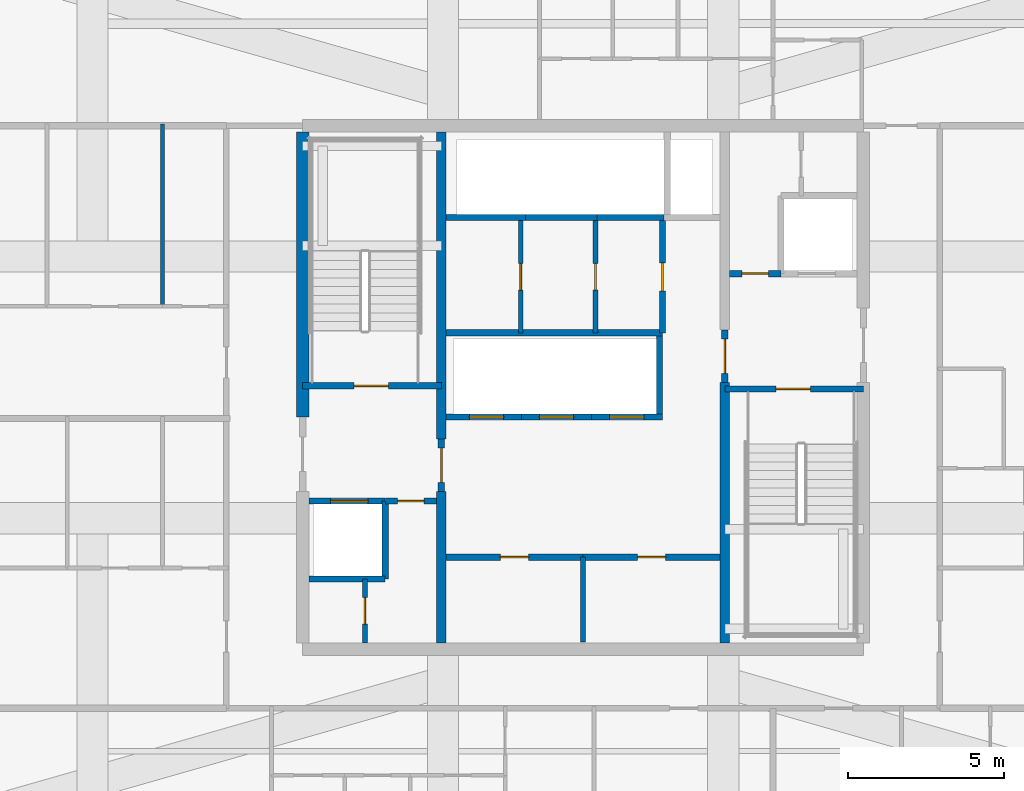
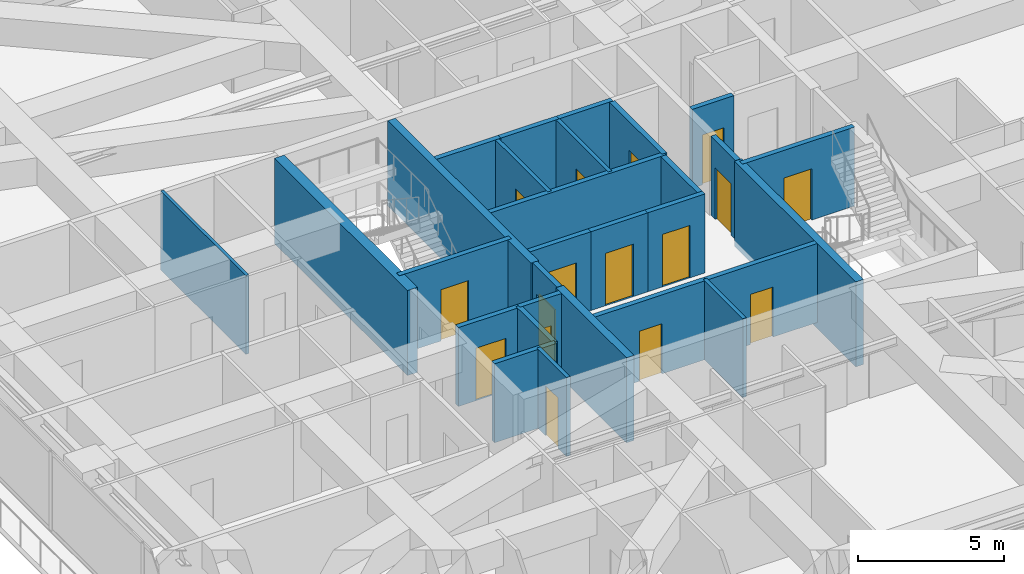
# One storey, part 24 of 32: 29 walls, 16 doors, 16 openings.
"""IFC4 building model written with IfcOpenShell, lengths in metres."""

from ifc_helpers import new_model, si_unit, direction, frame, frame_2d, origin, place, context, subcontext, project, spatial, rectangle, extrude, source, transform, mapped, material, layer, layer_set, type_object, element, fill, save


model = new_model("IFC4")

# Units and contexts
model_context = context("Model", 3, precision=1e-05, world=origin(), true_north=direction((0.0, 1.0)))
body_context = subcontext(model_context, "Body", "Model", "MODEL_VIEW")
ifc_project = project(units=[si_unit("LENGTHUNIT", "METRE"), si_unit("AREAUNIT", "SQUARE_METRE"), si_unit("VOLUMEUNIT", "CUBIC_METRE"), si_unit("PLANEANGLEUNIT", "RADIAN"), si_unit("MASSUNIT", "GRAM", prefix="KILO")], contexts=[model_context])

# Site, building, storey
site_placement = place(None, origin())
site = spatial("IfcSite", under=ifc_project, at=site_placement, CompositionType="ELEMENT")
building_placement = place(site_placement, origin())
building = spatial("IfcBuilding", under=site, at=building_placement, Name="Serunith Strait Residences", CompositionType="ELEMENT")
storey_placement = place(building_placement, frame((0.0, 0.0, 195.14990234375)))
storey = spatial("IfcBuildingStorey", under=building, at=storey_placement, Name="L49", CompositionType="ELEMENT", Elevation=195.14990234375)

# Wall, opening, door
ifc_material_1 = material(Name="Fire-rated masonry service closet wall", Category="masonry")
ifc_layer_1 = layer(ifc_material_1, 0.14990234375, Name="Fire-rated masonry service closet wall")
ifc_layer_set_1 = layer_set([ifc_layer_1], Name="Fire-rated masonry service closet wall")
wall_type_1 = type_object("IfcWallType", Name="IW-BOH-150", PredefinedType="PARTITIONING", material=ifc_layer_set_1)
wall_1_placement = place(storey_placement, frame((25.39990234375, 17.0, 0.0), z_axis=(0.0, 0.0, 1.0), x_axis=(0.0, 1.0, 0.0)))
wall_1 = element("IfcWall", 1, at=wall_1_placement, inside=storey, type_object=wall_type_1, Name="L49 Partition Wall 012", PredefinedType="PARTITIONING", context=body_context, shape_type="SweptSolid", body=[
    extrude(rectangle(XDim=2.050048828125, YDim=0.14990234375, at=frame_2d((1.02490234375, 0.0))), origin(), (0.0, 0.0, 1.0), 3.31005859375),
])
opening_1_placement = place(wall_1_placement, frame((0.60009765625, 0.0, 0.0)))
opening_1 = element("IfcOpeningElement", 2, at=opening_1_placement, cuts=wall_1, Name="Opening FD-850", PredefinedType="OPENING", context=body_context, shape_type="SweptSolid", body=[
    extrude(rectangle(XDim=0.85009765625, YDim=2.10009765625, at=frame_2d((0.425048828125, 1.050048828125))), frame((0.0, 0.0849609375, 0.0), z_axis=(0.0, -1.0, 0.0), x_axis=(1.0, 0.0, 0.0)), (0.0, 0.0, 1.0), 0.169921875),
])
ifc_material_2 = material(Name="Powder-coated steel service closet door", Category="steel")
door_type_1 = type_object("IfcDoorType", Name="FD-BOH-850", OperationType="NOTDEFINED", PredefinedType="DOOR", material=ifc_material_2)
shared_shape_1 = source(origin(), body_context, "Body", "SweptSolid", [
    extrude(rectangle(XDim=0.85009765625, YDim=2.10009765625, at=frame_2d((0.425048828125, 1.050048828125))), frame((0.0, 0.02490234375, 0.0), z_axis=(0.0, -1.0, 0.0), x_axis=(1.0, 0.0, 0.0)), (0.0, 0.0, 1.0), 0.050048828125),
])
door_1_placement = place(opening_1_placement, origin())
door_1 = element("IfcDoor", 3, at=door_1_placement, inside=storey, type_object=door_type_1, Name="L49 Sprinkler Plant Door", OperationType="SINGLE_SWING_RIGHT", OverallHeight=2.10009765625, OverallWidth=0.85009765625, PredefinedType="DOOR", context=body_context, shape_type="MappedRepresentation", body=[
    mapped(shared_shape_1, transform((0.0, 0.0, 0.0), scale=1.0)),
])
fill(opening_1, door_1)

wall_2_placement = place(storey_placement, frame((32.800048828125, 26.949951171875, 0.0), z_axis=(0.0, 0.0, 1.0), x_axis=(0.0, 1.0, 0.0)))
wall_2 = element("IfcWall", 4, at=wall_2_placement, inside=storey, type_object=wall_type_1, Name="L49 Partition Wall 015", PredefinedType="PARTITIONING", context=body_context, shape_type="SweptSolid", body=[
    extrude(rectangle(XDim=3.60009765625, YDim=0.14990234375, at=frame_2d((1.800048828125, 0.0))), origin(), (0.0, 0.0, 1.0), 3.31005859375),
])
opening_2_placement = place(wall_2_placement, frame((1.375, 0.0, 0.0)))
opening_2 = element("IfcOpeningElement", 5, at=opening_2_placement, cuts=wall_2, Name="Opening FD-850", PredefinedType="OPENING", context=body_context, shape_type="SweptSolid", body=[
    extrude(rectangle(XDim=0.85009765625, YDim=2.10009765625, at=frame_2d((0.425048828125, 1.050048828125))), frame((0.0, 0.0849609375, 0.0), z_axis=(0.0, -1.0, 0.0), x_axis=(1.0, 0.0, 0.0)), (0.0, 0.0, 1.0), 0.169921875),
])
door_2_placement = place(opening_2_placement, origin())
door_2 = element("IfcDoor", 6, at=door_2_placement, inside=storey, type_object=door_type_1, Name="L49 Linen Store Door", OperationType="SINGLE_SWING_LEFT", OverallHeight=2.10009765625, OverallWidth=0.85009765625, PredefinedType="DOOR", context=body_context, shape_type="MappedRepresentation", body=[
    mapped(shared_shape_1, transform((0.0, 0.0, 0.0), scale=1.0)),
])
fill(opening_2, door_2)

wall_3_placement = place(storey_placement, frame((30.39990234375, 26.949951171875, 0.0), z_axis=(0.0, 0.0, 1.0), x_axis=(0.0, 1.0, 0.0)))
wall_3 = element("IfcWall", 7, at=wall_3_placement, inside=storey, type_object=wall_type_1, Name="L49 Partition Wall 016", PredefinedType="PARTITIONING", context=body_context, shape_type="SweptSolid", body=[
    extrude(rectangle(XDim=3.60009765625, YDim=0.14990234375, at=frame_2d((1.800048828125, 0.0))), origin(), (0.0, 0.0, 1.0), 3.31005859375),
])
opening_3_placement = place(wall_3_placement, frame((1.375, 0.0, 0.0)))
opening_3 = element("IfcOpeningElement", 8, at=opening_3_placement, cuts=wall_3, Name="Opening FD-850", PredefinedType="OPENING", context=body_context, shape_type="SweptSolid", body=[
    extrude(rectangle(XDim=0.85009765625, YDim=2.10009765625, at=frame_2d((0.425048828125, 1.050048828125))), frame((0.0, 0.0849609375, 0.0), z_axis=(0.0, -1.0, 0.0), x_axis=(1.0, 0.0, 0.0)), (0.0, 0.0, 1.0), 0.169921875),
])
door_3_placement = place(opening_3_placement, origin())
door_3 = element("IfcDoor", 9, at=door_3_placement, inside=storey, type_object=door_type_1, Name="L49 Housekeeping Supply Door", OperationType="SINGLE_SWING_RIGHT", OverallHeight=2.10009765625, OverallWidth=0.85009765625, PredefinedType="DOOR", context=body_context, shape_type="MappedRepresentation", body=[
    mapped(shared_shape_1, transform((0.0, 0.0, 0.0), scale=1.0)),
])
fill(opening_3, door_3)

# Walls
wall_4_placement = place(storey_placement, frame((32.39990234375, 17.02001953125, 0.0), z_axis=(0.0, 0.0, 1.0), x_axis=(0.0, 1.0, 0.0)))
element("IfcWall", 10, at=wall_4_placement, inside=storey, type_object=wall_type_1, Name="L49 Partition Wall 019", PredefinedType="PARTITIONING", context=body_context, shape_type="SweptSolid", body=[
    extrude(rectangle(XDim=2.72998046875, YDim=0.14990234375, at=frame_2d((1.364990234375, 0.0))), origin(), (0.0, 0.0, 1.0), 3.31005859375),
])
ifc_material_3 = material(Name="Lightweight steel-stud gypsum partition", Category="steel")
ifc_layer_2 = layer(ifc_material_3, 0.1201171875, Name="Lightweight steel-stud gypsum partition")
ifc_layer_set_2 = layer_set([ifc_layer_2], Name="Lightweight steel-stud gypsum partition")
wall_type_2 = type_object("IfcWallType", Name="IW-PART-120", PredefinedType="PARTITIONING", material=ifc_layer_set_2)
wall_5_placement = place(storey_placement, frame((18.89990234375, 27.800048828125, 0.0), z_axis=(0.0, 0.0, 1.0), x_axis=(0.0, 1.0, 0.0)))
element("IfcWall", 11, at=wall_5_placement, inside=storey, type_object=wall_type_2, Name="L49 Partition Wall 093", PredefinedType="PARTITIONING", context=body_context, shape_type="SweptSolid", body=[
    extrude(rectangle(XDim=5.85986328125, YDim=0.1201171875, at=frame_2d((2.929931640625, 0.0))), origin(), (0.0, 0.0, 1.0), 3.31005859375),
])

# Wall, opening, door
ifc_material_4 = material(Name="Autoclaved aerated concrete blockwork", Category="masonry")
ifc_layer_3 = layer(ifc_material_4, 0.199951171875, Name="Autoclaved aerated concrete blockwork")
ifc_layer_set_3 = layer_set([ifc_layer_3], Name="Autoclaved aerated concrete blockwork")
wall_type_3 = type_object("IfcWallType", Name="IW-SHAFT-200", PredefinedType="STANDARD", material=ifc_layer_set_3)
wall_6_placement = place(storey_placement, frame((23.39990234375, 25.25, 0.0), z_axis=(0.0, 0.0, 1.0), x_axis=(1.0, 0.0, 0.0)))
wall_6 = element("IfcWall", 12, at=wall_6_placement, inside=storey, type_object=wall_type_3, Name="L49 ST-1 South Shaft Wall", PredefinedType="STANDARD", context=body_context, shape_type="SweptSolid", body=[
    extrude(rectangle(XDim=4.4501953125, YDim=0.199951171875, at=frame_2d((2.22509765625, 0.0))), origin(), (0.0, 0.0, 1.0), 3.31005859375),
])
opening_4_placement = place(wall_6_placement, frame((1.64990234375, 0.0, 0.0)))
opening_4 = element("IfcOpeningElement", 13, at=opening_4_placement, cuts=wall_6, Name="Opening FD-1100", PredefinedType="OPENING", context=body_context, shape_type="SweptSolid", body=[
    extrude(rectangle(XDim=1.10009765625, YDim=2.14990234375, at=frame_2d((0.550048828125, 1.074951171875))), frame((0.0, 0.10986328125, 0.0), z_axis=(0.0, -1.0, 0.0), x_axis=(1.0, 0.0, 0.0)), (0.0, 0.0, 1.0), 0.219970703125),
])
ifc_material_5 = material(Name="Galvanised steel fire door leaf", Category="steel")
door_type_2 = type_object("IfcDoorType", Name="FD-STAIR-1100", OperationType="NOTDEFINED", PredefinedType="DOOR", material=ifc_material_5)
shared_shape_2 = source(origin(), body_context, "Body", "SweptSolid", [
    extrude(rectangle(XDim=1.10009765625, YDim=2.14990234375, at=frame_2d((0.550048828125, 1.074951171875))), frame((0.0, 0.02490234375, 0.0), z_axis=(0.0, -1.0, 0.0), x_axis=(1.0, 0.0, 0.0)), (0.0, 0.0, 1.0), 0.050048828125),
])
door_4_placement = place(opening_4_placement, origin())
door_4 = element("IfcDoor", 14, at=door_4_placement, inside=storey, type_object=door_type_2, Name="L49 ST-1 Escape Stair Door", OperationType="SINGLE_SWING_LEFT", OverallHeight=2.14990234375, OverallWidth=1.10009765625, PredefinedType="DOOR", context=body_context, shape_type="MappedRepresentation", body=[
    mapped(shared_shape_2, transform((0.0, 0.0, 0.0), scale=1.0)),
])
fill(opening_4, door_4)

wall_7_placement = place(storey_placement, frame((36.949951171875, 25.14990234375, 0.0), z_axis=(0.0, 0.0, 1.0), x_axis=(1.0, 0.0, 0.0)))
wall_7 = element("IfcWall", 15, at=wall_7_placement, inside=storey, type_object=wall_type_3, Name="L49 ST-2 North Shaft Wall", PredefinedType="STANDARD", context=body_context, shape_type="SweptSolid", body=[
    extrude(rectangle(XDim=4.449951171875, YDim=0.199951171875, at=frame_2d((2.22509765625, 0.0))), origin(), (0.0, 0.0, 1.0), 3.31005859375),
])
opening_5_placement = place(wall_7_placement, frame((1.64990234375, 0.0, 0.0)))
opening_5 = element("IfcOpeningElement", 16, at=opening_5_placement, cuts=wall_7, Name="Opening FD-1100", PredefinedType="OPENING", context=body_context, shape_type="SweptSolid", body=[
    extrude(rectangle(XDim=1.10009765625, YDim=2.14990234375, at=frame_2d((0.550048828125, 1.074951171875))), frame((0.0, 0.10986328125, 0.0), z_axis=(0.0, -1.0, 0.0), x_axis=(1.0, 0.0, 0.0)), (0.0, 0.0, 1.0), 0.219970703125),
])
door_5_placement = place(opening_5_placement, origin())
door_5 = element("IfcDoor", 17, at=door_5_placement, inside=storey, type_object=door_type_2, Name="L49 ST-2 Escape Stair Door", OperationType="SINGLE_SWING_RIGHT", OverallHeight=2.14990234375, OverallWidth=1.10009765625, PredefinedType="DOOR", context=body_context, shape_type="MappedRepresentation", body=[
    mapped(shared_shape_2, transform((0.0, 0.0, 0.0), scale=1.0)),
])
fill(opening_5, door_5)

wall_8_placement = place(storey_placement, frame((23.60009765625, 21.550048828125, 0.0), z_axis=(0.0, 0.0, 1.0), x_axis=(1.0, 0.0, 0.0)))
wall_8 = element("IfcWall", 18, at=wall_8_placement, inside=storey, type_object=wall_type_3, Name="L49 FL-1 North Shaft Wall", PredefinedType="STANDARD", context=body_context, shape_type="SweptSolid", body=[
    extrude(rectangle(XDim=2.449951171875, YDim=0.199951171875, at=frame_2d((1.22509765625, 0.0))), origin(), (0.0, 0.0, 1.0), 3.31005859375),
])
opening_6_placement = place(wall_8_placement, frame((0.699951171875, 0.0, 0.0)))
opening_6 = element("IfcOpeningElement", 19, at=opening_6_placement, cuts=wall_8, Name="Opening LD-FF1200", PredefinedType="OPENING", context=body_context, shape_type="SweptSolid", body=[
    extrude(rectangle(XDim=1.199951171875, YDim=2.199951171875, at=frame_2d((0.60009765625, 1.10009765625))), frame((0.0, 0.10986328125, 0.0), z_axis=(0.0, -1.0, 0.0), x_axis=(1.0, 0.0, 0.0)), (0.0, 0.0, 1.0), 0.219970703125),
])
ifc_material_6 = material(Name="Brushed stainless steel landing door", Category="steel")
door_type_3 = type_object("IfcDoorType", Name="LD-FF-1200", OperationType="DOUBLE_DOOR_SLIDING", PredefinedType="DOOR", material=ifc_material_6)
shared_shape_3 = source(origin(), body_context, "Body", "SweptSolid", [
    extrude(rectangle(XDim=1.199951171875, YDim=2.199951171875, at=frame_2d((0.60009765625, 1.10009765625))), frame((0.0, 0.02490234375, 0.0), z_axis=(0.0, -1.0, 0.0), x_axis=(1.0, 0.0, 0.0)), (0.0, 0.0, 1.0), 0.050048828125),
])
door_6_placement = place(opening_6_placement, origin())
door_6 = element("IfcDoor", 20, at=door_6_placement, inside=storey, type_object=door_type_3, Name="L49 FL-1 Landing Door", OperationType="DOUBLE_DOOR_SLIDING", OverallHeight=2.199951171875, OverallWidth=1.199951171875, PredefinedType="DOOR", context=body_context, shape_type="MappedRepresentation", body=[
    mapped(shared_shape_3, transform((0.0, 0.0, 0.0), scale=1.0)),
])
fill(opening_6, door_6)

wall_9_placement = place(storey_placement, frame((28.0, 24.25, 0.0), z_axis=(0.0, 0.0, 1.0), x_axis=(1.0, 0.0, 0.0)))
wall_9 = element("IfcWall", 21, at=wall_9_placement, inside=storey, type_object=wall_type_3, Name="L49 PL-4 South Shaft Wall", PredefinedType="STANDARD", context=body_context, shape_type="SweptSolid", body=[
    extrude(rectangle(XDim=2.425048828125, YDim=0.199951171875, at=frame_2d((1.21240234375, 0.0))), origin(), (0.0, 0.0, 1.0), 3.31005859375),
])
opening_7_placement = place(wall_9_placement, frame((0.75, 0.0, 0.0)))
opening_7 = element("IfcOpeningElement", 22, at=opening_7_placement, cuts=wall_9, Name="Opening LD-1100", PredefinedType="OPENING", context=body_context, shape_type="SweptSolid", body=[
    extrude(rectangle(XDim=1.10009765625, YDim=2.199951171875, at=frame_2d((0.550048828125, 1.10009765625))), frame((0.0, 0.10986328125, 0.0), z_axis=(0.0, -1.0, 0.0), x_axis=(1.0, 0.0, 0.0)), (0.0, 0.0, 1.0), 0.219970703125),
])
ifc_material_7 = material(Name="Pale-champagne stainless landing door")
door_type_4 = type_object("IfcDoorType", Name="LD-LIFT-1100", OperationType="DOUBLE_DOOR_SLIDING", PredefinedType="DOOR", material=ifc_material_7)
shared_shape_4 = source(origin(), body_context, "Body", "SweptSolid", [
    extrude(rectangle(XDim=1.10009765625, YDim=2.199951171875, at=frame_2d((0.550048828125, 1.10009765625))), frame((0.0, 0.02490234375, 0.0), z_axis=(0.0, -1.0, 0.0), x_axis=(1.0, 0.0, 0.0)), (0.0, 0.0, 1.0), 0.050048828125),
])
door_7_placement = place(opening_7_placement, origin())
door_7 = element("IfcDoor", 23, at=door_7_placement, inside=storey, type_object=door_type_4, Name="L49 PL-4 Landing Door", OperationType="DOUBLE_DOOR_SLIDING", OverallHeight=2.199951171875, OverallWidth=1.10009765625, PredefinedType="DOOR", context=body_context, shape_type="MappedRepresentation", body=[
    mapped(shared_shape_4, transform((0.0, 0.0, 0.0), scale=1.0)),
])
fill(opening_7, door_7)

wall_10_placement = place(storey_placement, frame((30.425048828125, 24.25, 0.0), z_axis=(0.0, 0.0, 1.0), x_axis=(1.0, 0.0, 0.0)))
wall_10 = element("IfcWall", 24, at=wall_10_placement, inside=storey, type_object=wall_type_3, Name="L49 PL-5 South Shaft Wall", PredefinedType="STANDARD", context=body_context, shape_type="SweptSolid", body=[
    extrude(rectangle(XDim=2.25, YDim=0.199951171875, at=frame_2d((1.125, 0.0))), origin(), (0.0, 0.0, 1.0), 3.31005859375),
])
opening_8_placement = place(wall_10_placement, frame((0.574951171875, 0.0, 0.0)))
opening_8 = element("IfcOpeningElement", 25, at=opening_8_placement, cuts=wall_10, Name="Opening LD-1100", PredefinedType="OPENING", context=body_context, shape_type="SweptSolid", body=[
    extrude(rectangle(XDim=1.10009765625, YDim=2.199951171875, at=frame_2d((0.550048828125, 1.10009765625))), frame((0.0, 0.10986328125, 0.0), z_axis=(0.0, -1.0, 0.0), x_axis=(1.0, 0.0, 0.0)), (0.0, 0.0, 1.0), 0.219970703125),
])
door_8_placement = place(opening_8_placement, origin())
door_8 = element("IfcDoor", 26, at=door_8_placement, inside=storey, type_object=door_type_4, Name="L49 PL-5 Landing Door", OperationType="DOUBLE_DOOR_SLIDING", OverallHeight=2.199951171875, OverallWidth=1.10009765625, PredefinedType="DOOR", context=body_context, shape_type="MappedRepresentation", body=[
    mapped(shared_shape_4, transform((0.0, 0.0, 0.0), scale=1.0)),
])
fill(opening_8, door_8)

wall_11_placement = place(storey_placement, frame((32.675048828125, 24.25, 0.0), z_axis=(0.0, 0.0, 1.0), x_axis=(1.0, 0.0, 0.0)))
wall_11 = element("IfcWall", 27, at=wall_11_placement, inside=storey, type_object=wall_type_3, Name="L49 PL-6 South Shaft Wall", PredefinedType="STANDARD", context=body_context, shape_type="SweptSolid", body=[
    extrude(rectangle(XDim=2.27490234375, YDim=0.199951171875, at=frame_2d((1.137451171875, 0.0))), origin(), (0.0, 0.0, 1.0), 3.31005859375),
])
opening_9_placement = place(wall_11_placement, frame((0.574951171875, 0.0, 0.0)))
opening_9 = element("IfcOpeningElement", 28, at=opening_9_placement, cuts=wall_11, Name="Opening LD-1100", PredefinedType="OPENING", context=body_context, shape_type="SweptSolid", body=[
    extrude(rectangle(XDim=1.10009765625, YDim=2.199951171875, at=frame_2d((0.550048828125, 1.10009765625))), frame((0.0, 0.10986328125, 0.0), z_axis=(0.0, -1.0, 0.0), x_axis=(1.0, 0.0, 0.0)), (0.0, 0.0, 1.0), 0.219970703125),
])
door_9_placement = place(opening_9_placement, origin())
door_9 = element("IfcDoor", 29, at=door_9_placement, inside=storey, type_object=door_type_4, Name="L49 PL-6 Landing Door", OperationType="DOUBLE_DOOR_SLIDING", OverallHeight=2.199951171875, OverallWidth=1.10009765625, PredefinedType="DOOR", context=body_context, shape_type="MappedRepresentation", body=[
    mapped(shared_shape_4, transform((0.0, 0.0, 0.0), scale=1.0)),
])
fill(opening_9, door_9)

# Walls
wall_12_placement = place(storey_placement, frame((34.85009765625, 24.35009765625, 0.0), z_axis=(0.0, 0.0, 1.0), x_axis=(0.0, 1.0, 0.0)))
element("IfcWall", 30, at=wall_12_placement, inside=storey, type_object=wall_type_3, Name="L49 PL-6 East Shaft Wall", PredefinedType="STANDARD", context=body_context, shape_type="SweptSolid", body=[
    extrude(rectangle(XDim=2.5, YDim=0.199951171875, at=frame_2d((1.25, 0.0))), origin(), (0.0, 0.0, 1.0), 3.31005859375),
])
wall_13_placement = place(storey_placement, frame((28.0, 30.64990234375, 0.0), z_axis=(0.0, 0.0, 1.0), x_axis=(1.0, 0.0, 0.0)))
element("IfcWall", 31, at=wall_13_placement, inside=storey, type_object=wall_type_3, Name="L49 PL-7 South Shaft Wall", PredefinedType="STANDARD", context=body_context, shape_type="SweptSolid", body=[
    extrude(rectangle(XDim=2.550048828125, YDim=0.199951171875, at=frame_2d((1.27490234375, 0.0))), origin(), (0.0, 0.0, 1.0), 3.31005859375),
])
wall_14_placement = place(storey_placement, frame((30.550048828125, 30.64990234375, 0.0), z_axis=(0.0, 0.0, 1.0), x_axis=(1.0, 0.0, 0.0)))
element("IfcWall", 32, at=wall_14_placement, inside=storey, type_object=wall_type_3, Name="L49 PL-8 South Shaft Wall", PredefinedType="STANDARD", context=body_context, shape_type="SweptSolid", body=[
    extrude(rectangle(XDim=2.300048828125, YDim=0.199951171875, at=frame_2d((1.14990234375, 0.0))), origin(), (0.0, 0.0, 1.0), 3.31005859375),
])
wall_15_placement = place(storey_placement, frame((32.85009765625, 30.64990234375, 0.0), z_axis=(0.0, 0.0, 1.0), x_axis=(1.0, 0.0, 0.0)))
element("IfcWall", 33, at=wall_15_placement, inside=storey, type_object=wall_type_3, Name="L49 PL-9 South Shaft Wall", PredefinedType="STANDARD", context=body_context, shape_type="SweptSolid", body=[
    extrude(rectangle(XDim=2.14990234375, YDim=0.199951171875, at=frame_2d((1.074951171875, 0.0))), origin(), (0.0, 0.0, 1.0), 3.31005859375),
])
wall_16_placement = place(storey_placement, frame((26.050048828125, 19.050048828125, 0.0), z_axis=(0.0, 0.0, 1.0), x_axis=(0.0, 1.0, 0.0)))
element("IfcWall", 34, at=wall_16_placement, inside=storey, type_object=wall_type_3, Name="L49 Partition Wall 001", PredefinedType="STANDARD", context=body_context, shape_type="SweptSolid", body=[
    extrude(rectangle(XDim=2.5, YDim=0.199951171875, at=frame_2d((1.25, 0.0))), origin(), (0.0, 0.0, 1.0), 3.31005859375),
])
wall_17_placement = place(storey_placement, frame((23.60009765625, 19.050048828125, 0.0), z_axis=(0.0, 0.0, 1.0), x_axis=(1.0, 0.0, 0.0)))
element("IfcWall", 35, at=wall_17_placement, inside=storey, type_object=wall_type_3, Name="L49 Partition Wall 002", PredefinedType="STANDARD", context=body_context, shape_type="SweptSolid", body=[
    extrude(rectangle(XDim=2.449951171875, YDim=0.199951171875, at=frame_2d((1.22509765625, 0.0))), origin(), (0.0, 0.0, 1.0), 3.31005859375),
])

# Wall, opening, door
wall_18_placement = place(storey_placement, frame((26.052001953125, 21.550048828125, 0.0), z_axis=(0.0, 0.0, 1.0), x_axis=(1.0, 0.0, 0.0)))
wall_18 = element("IfcWall", 36, at=wall_18_placement, inside=storey, type_object=wall_type_3, Name="L49 Partition Wall 003", PredefinedType="STANDARD", context=body_context, shape_type="SweptSolid", body=[
    extrude(rectangle(XDim=1.64794921875, YDim=0.199951171875, at=frame_2d((0.823974609375, 0.0))), origin(), (0.0, 0.0, 1.0), 3.31005859375),
])
opening_10_placement = place(wall_18_placement, frame((0.39892578125, 0.0, 0.0)))
opening_10 = element("IfcOpeningElement", 37, at=opening_10_placement, cuts=wall_18, Name="Opening FD-850", PredefinedType="OPENING", context=body_context, shape_type="SweptSolid", body=[
    extrude(rectangle(XDim=0.85009765625, YDim=2.10009765625, at=frame_2d((0.425048828125, 1.050048828125))), frame((0.0, 0.10986328125, 0.0), z_axis=(0.0, -1.0, 0.0), x_axis=(1.0, 0.0, 0.0)), (0.0, 0.0, 1.0), 0.219970703125),
])
door_10_placement = place(opening_10_placement, origin())
door_10 = element("IfcDoor", 38, at=door_10_placement, inside=storey, type_object=door_type_1, Name="L49 South-West Core Service Door", OperationType="SINGLE_SWING_RIGHT", OverallHeight=2.10009765625, OverallWidth=0.85009765625, PredefinedType="DOOR", context=body_context, shape_type="MappedRepresentation", body=[
    mapped(shared_shape_1, transform((0.0, 0.0, 0.0), scale=1.0)),
])
fill(opening_10, door_10)

wall_19_placement = place(storey_placement, frame((37.10009765625, 28.85009765625, 0.0), z_axis=(0.0, 0.0, 1.0), x_axis=(1.0, 0.0, 0.0)))
wall_19 = element("IfcWall", 39, at=wall_19_placement, inside=storey, type_object=wall_type_3, Name="L49 Partition Wall 006", PredefinedType="STANDARD", context=body_context, shape_type="SweptSolid", body=[
    extrude(rectangle(XDim=1.64794921875, YDim=0.199951171875, at=frame_2d((0.823974609375, 0.0))), origin(), (0.0, 0.0, 1.0), 3.31005859375),
])
opening_11_placement = place(wall_19_placement, frame((0.39892578125, 0.0, 0.0)))
opening_11 = element("IfcOpeningElement", 40, at=opening_11_placement, cuts=wall_19, Name="Opening FD-850", PredefinedType="OPENING", context=body_context, shape_type="SweptSolid", body=[
    extrude(rectangle(XDim=0.85009765625, YDim=2.10009765625, at=frame_2d((0.425048828125, 1.050048828125))), frame((0.0, 0.10986328125, 0.0), z_axis=(0.0, -1.0, 0.0), x_axis=(1.0, 0.0, 0.0)), (0.0, 0.0, 1.0), 0.219970703125),
])
door_11_placement = place(opening_11_placement, origin())
door_11 = element("IfcDoor", 41, at=door_11_placement, inside=storey, type_object=door_type_1, Name="L49 North-East Core Service Door", OperationType="SINGLE_SWING_LEFT", OverallHeight=2.10009765625, OverallWidth=0.85009765625, PredefinedType="DOOR", context=body_context, shape_type="MappedRepresentation", body=[
    mapped(shared_shape_1, transform((0.0, 0.0, 0.0), scale=1.0)),
])
fill(opening_11, door_11)

wall_20_placement = place(storey_placement, frame((27.85009765625, 21.85205078125, 0.0), z_axis=(0.0, 0.0, 1.0), x_axis=(0.0, 1.0, 0.0)))
wall_20 = element("IfcWall", 42, at=wall_20_placement, inside=storey, type_object=wall_type_3, Name="L49 Partition Wall 009", PredefinedType="STANDARD", context=body_context, shape_type="SweptSolid", body=[
    extrude(rectangle(XDim=1.696044921875, YDim=0.199951171875, at=frame_2d((0.84814453125, 0.0))), origin(), (0.0, 0.0, 1.0), 3.31005859375),
])
opening_12_placement = place(wall_20_placement, frame((0.298095703125, 0.0, 0.0)))
opening_12 = element("IfcOpeningElement", 43, at=opening_12_placement, cuts=wall_20, Name="Opening FD-FFL", PredefinedType="OPENING", context=body_context, shape_type="SweptSolid", body=[
    extrude(rectangle(XDim=1.10009765625, YDim=2.14990234375, at=frame_2d((0.550048828125, 1.074951171875))), frame((0.0, 0.10986328125, 0.0), z_axis=(0.0, -1.0, 0.0), x_axis=(1.0, 0.0, 0.0)), (0.0, 0.0, 1.0), 0.219970703125),
])
ifc_material_8 = material(Name="Glazed steel smoke-lobby fire door", Category="steel")
door_type_5 = type_object("IfcDoorType", Name="FD-FFL-1100", OperationType="NOTDEFINED", PredefinedType="DOOR", material=ifc_material_8)
door_12_placement = place(opening_12_placement, origin())
door_12 = element("IfcDoor", 44, at=door_12_placement, inside=storey, type_object=door_type_5, Name="L49 FFL-1 Lift Lobby Door", OperationType="SINGLE_SWING_RIGHT", OverallHeight=2.14990234375, OverallWidth=1.10009765625, PredefinedType="DOOR", context=body_context, shape_type="MappedRepresentation", body=[
    mapped(shared_shape_2, transform((0.0, 0.0, 0.0), scale=1.0)),
])
fill(opening_12, door_12)

wall_21_placement = place(storey_placement, frame((36.949951171875, 25.35205078125, 0.0), z_axis=(0.0, 0.0, 1.0), x_axis=(0.0, 1.0, 0.0)))
wall_21 = element("IfcWall", 45, at=wall_21_placement, inside=storey, type_object=wall_type_3, Name="L49 Partition Wall 010", PredefinedType="STANDARD", context=body_context, shape_type="SweptSolid", body=[
    extrude(rectangle(XDim=1.696044921875, YDim=0.199951171875, at=frame_2d((0.84814453125, 0.0))), origin(), (0.0, 0.0, 1.0), 3.31005859375),
])
opening_13_placement = place(wall_21_placement, frame((0.298095703125, 0.0, 0.0)))
opening_13 = element("IfcOpeningElement", 46, at=opening_13_placement, cuts=wall_21, Name="Opening FD-FFL", PredefinedType="OPENING", context=body_context, shape_type="SweptSolid", body=[
    extrude(rectangle(XDim=1.10009765625, YDim=2.14990234375, at=frame_2d((0.550048828125, 1.074951171875))), frame((0.0, 0.10986328125, 0.0), z_axis=(0.0, -1.0, 0.0), x_axis=(1.0, 0.0, 0.0)), (0.0, 0.0, 1.0), 0.219970703125),
])
door_13_placement = place(opening_13_placement, origin())
door_13 = element("IfcDoor", 47, at=door_13_placement, inside=storey, type_object=door_type_5, Name="L49 FFL-2 Lift Lobby Door", OperationType="SINGLE_SWING_LEFT", OverallHeight=2.14990234375, OverallWidth=1.10009765625, PredefinedType="DOOR", context=body_context, shape_type="MappedRepresentation", body=[
    mapped(shared_shape_2, transform((0.0, 0.0, 0.0), scale=1.0)),
])
fill(opening_13, door_13)

# Wall
wall_22_placement = place(storey_placement, frame((28.0, 26.949951171875, 0.0), z_axis=(0.0, 0.0, 1.0), x_axis=(1.0, 0.0, 0.0)))
element("IfcWall", 48, at=wall_22_placement, inside=storey, type_object=wall_type_3, Name="L49 Partition Wall 011", PredefinedType="STANDARD", context=body_context, shape_type="SweptSolid", body=[
    extrude(rectangle(XDim=6.949951171875, YDim=0.199951171875, at=frame_2d((3.47509765625, 0.0))), origin(), (0.0, 0.0, 1.0), 3.31005859375),
])

# Wall, opening, door
wall_23_placement = place(storey_placement, frame((34.949951171875, 26.949951171875, 0.0), z_axis=(0.0, 0.0, 1.0), x_axis=(0.0, 1.0, 0.0)))
wall_23 = element("IfcWall", 49, at=wall_23_placement, inside=storey, type_object=wall_type_3, Name="L49 Partition Wall 014", PredefinedType="STANDARD", context=body_context, shape_type="SweptSolid", body=[
    extrude(rectangle(XDim=3.60009765625, YDim=0.199951171875, at=frame_2d((1.800048828125, 0.0))), origin(), (0.0, 0.0, 1.0), 3.31005859375),
])
opening_14_placement = place(wall_23_placement, frame((1.35009765625, 0.0, 0.0)))
opening_14 = element("IfcOpeningElement", 50, at=opening_14_placement, cuts=wall_23, Name="Opening FD-900", PredefinedType="OPENING", context=body_context, shape_type="SweptSolid", body=[
    extrude(rectangle(XDim=0.89990234375, YDim=2.10009765625, at=frame_2d((0.449951171875, 1.050048828125))), frame((0.0, 0.10986328125, 0.0), z_axis=(0.0, -1.0, 0.0), x_axis=(1.0, 0.0, 0.0)), (0.0, 0.0, 1.0), 0.219970703125),
])
ifc_material_9 = material(Name="Powder-coated steel riser door", Category="steel")
door_type_6 = type_object("IfcDoorType", Name="FD-BOH-900", OperationType="NOTDEFINED", PredefinedType="DOOR", material=ifc_material_9)
shared_shape_5 = source(origin(), body_context, "Body", "SweptSolid", [
    extrude(rectangle(XDim=0.89990234375, YDim=2.10009765625, at=frame_2d((0.449951171875, 1.050048828125))), frame((0.0, 0.02490234375, 0.0), z_axis=(0.0, -1.0, 0.0), x_axis=(1.0, 0.0, 0.0)), (0.0, 0.0, 1.0), 0.050048828125),
])
door_14_placement = place(opening_14_placement, origin())
door_14 = element("IfcDoor", 51, at=door_14_placement, inside=storey, type_object=door_type_6, Name="L49 Janitorial Store Door", OperationType="SINGLE_SWING_RIGHT", OverallHeight=2.10009765625, OverallWidth=0.89990234375, PredefinedType="DOOR", context=body_context, shape_type="MappedRepresentation", body=[
    mapped(shared_shape_5, transform((0.0, 0.0, 0.0), scale=1.0)),
])
fill(opening_14, door_14)

wall_24_placement = place(storey_placement, frame((28.0, 19.75, 0.0), z_axis=(0.0, 0.0, 1.0), x_axis=(1.0, 0.0, 0.0)))
wall_24 = element("IfcWall", 52, at=wall_24_placement, inside=storey, type_object=wall_type_3, Name="L49 Partition Wall 017", PredefinedType="STANDARD", context=body_context, shape_type="SweptSolid", body=[
    extrude(rectangle(XDim=4.39990234375, YDim=0.199951171875, at=frame_2d((2.199951171875, 0.0))), origin(), (0.0, 0.0, 1.0), 3.31005859375),
])
opening_15_placement = place(wall_24_placement, frame((1.75, 0.0, 0.0)))
opening_15 = element("IfcOpeningElement", 53, at=opening_15_placement, cuts=wall_24, Name="Opening FD-900", PredefinedType="OPENING", context=body_context, shape_type="SweptSolid", body=[
    extrude(rectangle(XDim=0.89990234375, YDim=2.10009765625, at=frame_2d((0.449951171875, 1.050048828125))), frame((0.0, 0.10986328125, 0.0), z_axis=(0.0, -1.0, 0.0), x_axis=(1.0, 0.0, 0.0)), (0.0, 0.0, 1.0), 0.219970703125),
])
door_15_placement = place(opening_15_placement, origin())
door_15 = element("IfcDoor", 54, at=door_15_placement, inside=storey, type_object=door_type_6, Name="L49 Fan-Coil Plant Door", OperationType="SINGLE_SWING_LEFT", OverallHeight=2.10009765625, OverallWidth=0.89990234375, PredefinedType="DOOR", context=body_context, shape_type="MappedRepresentation", body=[
    mapped(shared_shape_5, transform((0.0, 0.0, 0.0), scale=1.0)),
])
fill(opening_15, door_15)

wall_25_placement = place(storey_placement, frame((32.402099609375, 19.75, 0.0), z_axis=(0.0, 0.0, 1.0), x_axis=(1.0, 0.0, 0.0)))
wall_25 = element("IfcWall", 55, at=wall_25_placement, inside=storey, type_object=wall_type_3, Name="L49 Partition Wall 018", PredefinedType="STANDARD", context=body_context, shape_type="SweptSolid", body=[
    extrude(rectangle(XDim=4.39794921875, YDim=0.199951171875, at=frame_2d((2.198974609375, 0.0))), origin(), (0.0, 0.0, 1.0), 3.31005859375),
])
opening_16_placement = place(wall_25_placement, frame((1.7490234375, 0.0, 0.0)))
opening_16 = element("IfcOpeningElement", 56, at=opening_16_placement, cuts=wall_25, Name="Opening FD-900", PredefinedType="OPENING", context=body_context, shape_type="SweptSolid", body=[
    extrude(rectangle(XDim=0.89990234375, YDim=2.10009765625, at=frame_2d((0.449951171875, 1.050048828125))), frame((0.0, 0.10986328125, 0.0), z_axis=(0.0, -1.0, 0.0), x_axis=(1.0, 0.0, 0.0)), (0.0, 0.0, 1.0), 0.219970703125),
])
door_16_placement = place(opening_16_placement, origin())
door_16 = element("IfcDoor", 57, at=door_16_placement, inside=storey, type_object=door_type_6, Name="L49 Battery UPS Plant Door", OperationType="SINGLE_SWING_RIGHT", OverallHeight=2.10009765625, OverallWidth=0.89990234375, PredefinedType="DOOR", context=body_context, shape_type="MappedRepresentation", body=[
    mapped(shared_shape_5, transform((0.0, 0.0, 0.0), scale=1.0)),
])
fill(opening_16, door_16)

# Walls
ifc_material_10 = material(Name="Concrete C70/85", Category="concrete")
ifc_layer_4 = layer(ifc_material_10, 0.300048828125, Name="Concrete C70/85")
ifc_layer_set_4 = layer_set([ifc_layer_4], Name="Concrete C70/85")
wall_type_4 = type_object("IfcWallType", Name="SW-300-C70", PredefinedType="SHEAR", material=ifc_layer_set_4)
wall_26_placement = place(storey_placement, frame((27.85009765625, 17.0, -0.260009765625), z_axis=(0.0, 0.0, 1.0), x_axis=(0.0, 1.0, 0.0)))
element("IfcWall", 58, at=wall_26_placement, inside=storey, type_object=wall_type_4, Name="L49 Core Internal West Web South Pier", PredefinedType="SHEAR", context=body_context, shape_type="SweptSolid", body=[
    extrude(rectangle(XDim=4.85009765625, YDim=0.300048828125, at=frame_2d((2.425048828125, 0.0))), origin(), (0.0, 0.0, 1.0), 3.568115234375),
])
wall_27_placement = place(storey_placement, frame((27.85009765625, 23.550048828125, -0.260009765625), z_axis=(0.0, 0.0, 1.0), x_axis=(0.0, 1.0, 0.0)))
element("IfcWall", 59, at=wall_27_placement, inside=storey, type_object=wall_type_4, Name="L49 Core Internal West Web North Pier", PredefinedType="SHEAR", context=body_context, shape_type="SweptSolid", body=[
    extrude(rectangle(XDim=9.849853515625, YDim=0.300048828125, at=frame_2d((4.9248046875, 0.0))), origin(), (0.0, 0.0, 1.0), 3.568115234375),
])
wall_28_placement = place(storey_placement, frame((36.949951171875, 17.0, -0.260009765625), z_axis=(0.0, 0.0, 1.0), x_axis=(0.0, 1.0, 0.0)))
element("IfcWall", 60, at=wall_28_placement, inside=storey, type_object=wall_type_4, Name="L49 Core Internal East Web South Pier", PredefinedType="SHEAR", context=body_context, shape_type="SweptSolid", body=[
    extrude(rectangle(XDim=8.35009765625, YDim=0.300048828125, at=frame_2d((4.175048828125, 0.0))), origin(), (0.0, 0.0, 1.0), 3.568115234375),
])
ifc_layer_5 = layer(ifc_material_10, 0.39990234375, Name="Concrete C70/85")
ifc_layer_set_5 = layer_set([ifc_layer_5], Name="Concrete C70/85")
wall_type_5 = type_object("IfcWallType", Name="SW-400-C70", PredefinedType="SHEAR", material=ifc_layer_set_5)
wall_29_placement = place(storey_placement, frame((23.39990234375, 24.25, -0.260009765625), z_axis=(0.0, 0.0, 1.0), x_axis=(0.0, 1.0, 0.0)))
element("IfcWall", 61, at=wall_29_placement, inside=storey, type_object=wall_type_5, Name="L49 Core West Shear Wall North Pier", PredefinedType="SHEAR", context=body_context, shape_type="SweptSolid", body=[
    extrude(rectangle(XDim=9.14990234375, YDim=0.39990234375, at=frame_2d((4.574951171875, 0.0))), origin(), (0.0, 0.0, 1.0), 3.568115234375),
])

save(model, "model.ifc")
